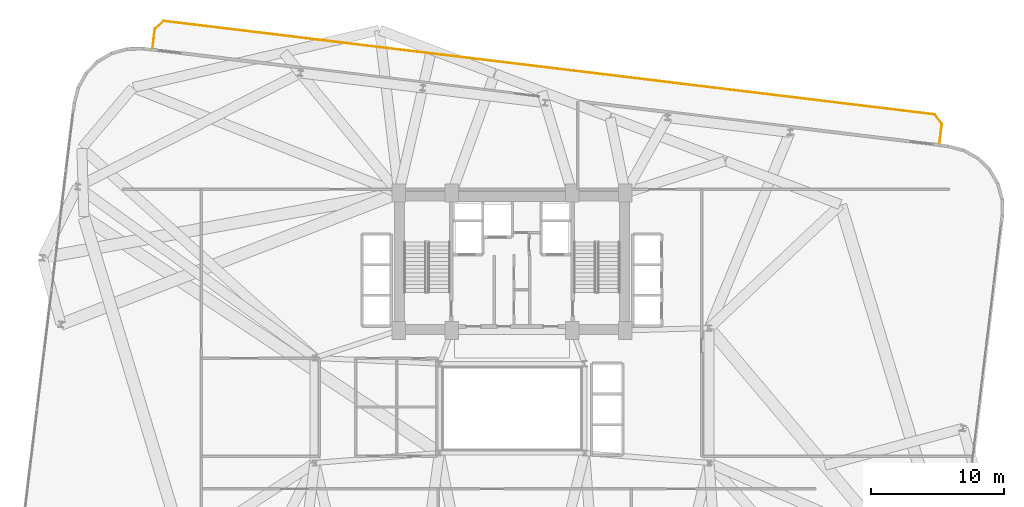
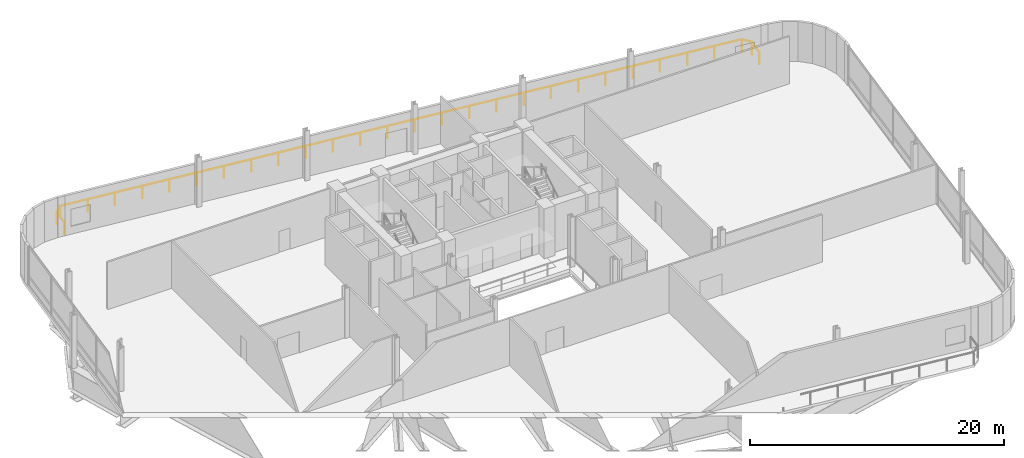
# One storey, part 22 of 22: 1 railing.
"""IFC4 building model written with IfcOpenShell, lengths in metres."""

from ifc_helpers import new_model, si_unit, direction, frame, origin, origin_2d, place, context, subcontext, project, spatial, circle, extrude, material, type_object, element, save


model = new_model("IFC4")

# Units and contexts
model_context = context("Model", 3, precision=1e-05, world=origin(), true_north=direction((0.0, 1.0)))
body_context = subcontext(model_context, "Body", "Model", "MODEL_VIEW")
ifc_project = project(units=[si_unit("LENGTHUNIT", "METRE"), si_unit("AREAUNIT", "SQUARE_METRE"), si_unit("VOLUMEUNIT", "CUBIC_METRE"), si_unit("PLANEANGLEUNIT", "RADIAN"), si_unit("MASSUNIT", "GRAM", prefix="KILO")], contexts=[model_context])

# Site, building, storey
site_placement = place(None, origin())
site = spatial("IfcSite", under=ifc_project, at=site_placement, CompositionType="ELEMENT")
building_placement = place(site_placement, origin())
building = spatial("IfcBuilding", under=site, at=building_placement, Name="Varnelok Gate Tower", CompositionType="ELEMENT")
storey_placement = place(building_placement, frame((0.0, 0.0, 116.89990234375)))
storey = spatial("IfcBuildingStorey", under=building, at=storey_placement, Name="L29", CompositionType="ELEMENT", Elevation=116.89990234375)

# Railing
ifc_material = material(Name="Anodized Aluminum Alloy 6063-T6", Category="aluminium")
railing_type = type_object("IfcRailingType", Name="RL-SKYG-1200", PredefinedType="GUARDRAIL", material=ifc_material)
railing_placement = place(storey_placement, frame((12.2275390625, 49.925048828125, 0.0)))
element("IfcRailing", 1, at=railing_placement, inside=storey, type_object=railing_type, Name="L29 North Terrace Balustrade 2", PredefinedType="GUARDRAIL", context=body_context, shape_type="SweptSolid", body=[
    extrude(circle(Radius=0.02392578125, at=origin_2d()), frame((0.0, 0.0, 1.17578125), z_axis=(0.120252002797, 0.992743398781, 0.0), x_axis=(-0.992743398781, 0.120252002797, 0.0)), (0.0, 0.0, 1.0), 1.469970703125),
    extrude(circle(Radius=0.02392578125, at=origin_2d()), frame((0.1767578125, 1.459228515625, 1.17578125), z_axis=(0.756422670136, 0.654083132411, 0.0), x_axis=(-0.654083132411, 0.756422670136, 0.0)), (0.0, 0.0, 1.0), 0.8779296875),
    extrude(circle(Radius=0.02392578125, at=origin_2d()), frame((0.8408203125, 2.033447265625, 1.17578125), z_axis=(0.992732114452, -0.120345124272, 0.0), x_axis=(0.120345124272, 0.992732114452, 0.0)), (0.0, 0.0, 1.0), 58.300048828125),
    extrude(circle(Radius=0.02392578125, at=origin_2d()), frame((58.717041015625, -4.982666015625, 1.17578125), z_axis=(0.578287426437, -0.81583310329, 0.0), x_axis=(0.81583310329, 0.578287426437, 0.0)), (0.0, 0.0, 1.0), 0.877685546875),
    extrude(circle(Radius=0.02392578125, at=origin_2d()), frame((59.224609375, -5.69873046875, 1.17578125), z_axis=(-0.120395838871, -0.9927259652, 0.0), x_axis=(0.9927259652, -0.120395838871, 0.0)), (0.0, 0.0, 1.0), 1.47021484375),
    extrude(circle(Radius=0.02099609375, at=origin_2d()), origin(), (0.0, 0.0, 1.0), 1.15185546875),
    extrude(circle(Radius=0.02099609375, at=origin_2d()), frame((0.1767578125, 1.459228515625, 0.0)), (0.0, 0.0, 1.0), 1.15185546875),
    extrude(circle(Radius=0.02099609375, at=origin_2d()), frame((0.8408203125, 2.033447265625, 0.0)), (0.0, 0.0, 1.0), 1.15185546875),
    extrude(circle(Radius=0.02099609375, at=origin_2d()), frame((3.15576171875, 1.752685546875, 0.0)), (0.0, 0.0, 1.0), 1.15185546875),
    extrude(circle(Radius=0.02099609375, at=origin_2d()), frame((5.470947265625, 1.47216796875, 0.0)), (0.0, 0.0, 1.0), 1.15185546875),
    extrude(circle(Radius=0.02099609375, at=origin_2d()), frame((7.785888671875, 1.19140625, 0.0)), (0.0, 0.0, 1.0), 1.15185546875),
    extrude(circle(Radius=0.02099609375, at=origin_2d()), frame((10.10107421875, 0.910888671875, 0.0)), (0.0, 0.0, 1.0), 1.15185546875),
    extrude(circle(Radius=0.02099609375, at=origin_2d()), frame((12.416015625, 0.630126953125, 0.0)), (0.0, 0.0, 1.0), 1.15185546875),
    extrude(circle(Radius=0.02099609375, at=origin_2d()), frame((14.731201171875, 0.349609375, 0.0)), (0.0, 0.0, 1.0), 1.15185546875),
    extrude(circle(Radius=0.02099609375, at=origin_2d()), frame((17.046142578125, 0.06884765625, 0.0)), (0.0, 0.0, 1.0), 1.15185546875),
    extrude(circle(Radius=0.02099609375, at=origin_2d()), frame((19.361328125, -0.211669921875, 0.0)), (0.0, 0.0, 1.0), 1.15185546875),
    extrude(circle(Radius=0.02099609375, at=origin_2d()), frame((21.67626953125, -0.492431640625, 0.0)), (0.0, 0.0, 1.0), 1.15185546875),
    extrude(circle(Radius=0.02099609375, at=origin_2d()), frame((23.9912109375, -0.77294921875, 0.0)), (0.0, 0.0, 1.0), 1.15185546875),
    extrude(circle(Radius=0.02099609375, at=origin_2d()), frame((26.306396484375, -1.0537109375, 0.0)), (0.0, 0.0, 1.0), 1.15185546875),
    extrude(circle(Radius=0.02099609375, at=origin_2d()), frame((28.621337890625, -1.334228515625, 0.0)), (0.0, 0.0, 1.0), 1.15185546875),
    extrude(circle(Radius=0.02099609375, at=origin_2d()), frame((30.9365234375, -1.614990234375, 0.0)), (0.0, 0.0, 1.0), 1.15185546875),
    extrude(circle(Radius=0.02099609375, at=origin_2d()), frame((33.25146484375, -1.8955078125, 0.0)), (0.0, 0.0, 1.0), 1.15185546875),
    extrude(circle(Radius=0.02099609375, at=origin_2d()), frame((35.566650390625, -2.17626953125, 0.0)), (0.0, 0.0, 1.0), 1.15185546875),
    extrude(circle(Radius=0.02099609375, at=origin_2d()), frame((37.881591796875, -2.456787109375, 0.0)), (0.0, 0.0, 1.0), 1.15185546875),
    extrude(circle(Radius=0.02099609375, at=origin_2d()), frame((40.196533203125, -2.737548828125, 0.0)), (0.0, 0.0, 1.0), 1.15185546875),
    extrude(circle(Radius=0.02099609375, at=origin_2d()), frame((42.51171875, -3.01806640625, 0.0)), (0.0, 0.0, 1.0), 1.15185546875),
    extrude(circle(Radius=0.02099609375, at=origin_2d()), frame((44.82666015625, -3.298828125, 0.0)), (0.0, 0.0, 1.0), 1.15185546875),
    extrude(circle(Radius=0.02099609375, at=origin_2d()), frame((47.141845703125, -3.579345703125, 0.0)), (0.0, 0.0, 1.0), 1.15185546875),
    extrude(circle(Radius=0.02099609375, at=origin_2d()), frame((49.456787109375, -3.860107421875, 0.0)), (0.0, 0.0, 1.0), 1.15185546875),
    extrude(circle(Radius=0.02099609375, at=origin_2d()), frame((51.77197265625, -4.140625, 0.0)), (0.0, 0.0, 1.0), 1.15185546875),
    extrude(circle(Radius=0.02099609375, at=origin_2d()), frame((54.0869140625, -4.42138671875, 0.0)), (0.0, 0.0, 1.0), 1.15185546875),
    extrude(circle(Radius=0.02099609375, at=origin_2d()), frame((56.402099609375, -4.701904296875, 0.0)), (0.0, 0.0, 1.0), 1.15185546875),
    extrude(circle(Radius=0.02099609375, at=origin_2d()), frame((58.717041015625, -4.982666015625, 0.0)), (0.0, 0.0, 1.0), 1.15185546875),
    extrude(circle(Radius=0.02099609375, at=origin_2d()), frame((59.224609375, -5.69873046875, 0.0)), (0.0, 0.0, 1.0), 1.15185546875),
    extrude(circle(Radius=0.02099609375, at=origin_2d()), frame((59.047607421875, -7.158203125, 0.0)), (0.0, 0.0, 1.0), 1.15185546875),
])

save(model, "model.ifc")
